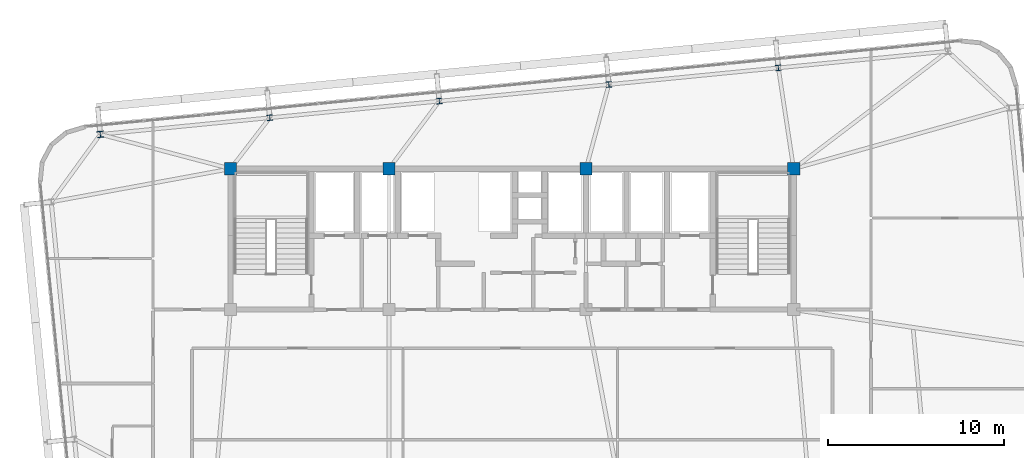
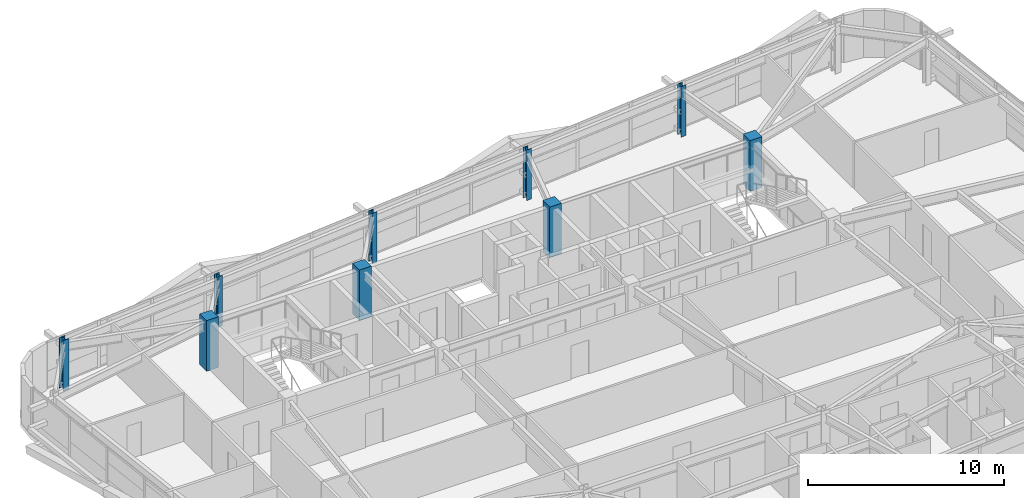
# One storey, part 3 of 54: 9 columns.
"""IFC4 building model written with IfcOpenShell, lengths in metres."""

from ifc_helpers import new_model, si_unit, direction, frame, origin, origin_2d, place, context, subcontext, project, spatial, rectangle, i_section, extrude, source, transform, mapped, material, material_profile, profile_set, type_object, element, save


model = new_model("IFC4")

# Units and contexts
model_context = context("Model", 3, precision=1e-05, world=origin(), true_north=direction((0.0, 1.0)))
body_context = subcontext(model_context, "Body", "Model", "MODEL_VIEW")
ifc_project = project(units=[si_unit("LENGTHUNIT", "METRE"), si_unit("AREAUNIT", "SQUARE_METRE"), si_unit("VOLUMEUNIT", "CUBIC_METRE"), si_unit("PLANEANGLEUNIT", "RADIAN"), si_unit("MASSUNIT", "GRAM", prefix="KILO")], contexts=[model_context])

# Site, building, storey
site_placement = place(None, origin())
site = spatial("IfcSite", under=ifc_project, at=site_placement, CompositionType="ELEMENT")
building_placement = place(site_placement, origin())
building = spatial("IfcBuilding", under=site, at=building_placement, Name="Taldren Reach Tower", CompositionType="ELEMENT")
storey_placement = place(building_placement, frame((0.0, 0.0, 99.75)))
storey = spatial("IfcBuildingStorey", under=building, at=storey_placement, Name="L30", CompositionType="ELEMENT", Elevation=99.75)

# Columns
ifc_material_1 = material(Name="Concrete S65 (65 MPa)", Category="concrete")
ifc_material_profile_1 = material_profile(ifc_material_1, rectangle(XDim=0.699951171875, YDim=0.699951171875, at=origin_2d()), Name="RC-700x700")
ifc_profile_set_1 = profile_set([ifc_material_profile_1], Name="Concrete S65 (65 MPa)")
column_type_1 = type_object("IfcColumnType", Name="COL-RC700", PredefinedType="COLUMN", material=ifc_profile_set_1)
shared_shape_1 = source(origin(), body_context, "Body", "SweptSolid", [
    extrude(rectangle(XDim=0.699951171875, YDim=0.699951171875, at=origin_2d()), origin(), (0.0, 0.0, 1.0), 3.14990234375),
])
for number, where, z_axis, x_axis, name in (
    (1, (19.0, 32.0, 0.0), (0.0, 0.0, 1.0), (1.0, 0.0, 0.0), "Mega column MC-C5 L30"),
    (2, (28.0, 32.0, 0.0), (0.0, 0.0, 1.0), (1.0, 0.0, 0.0), "Mega column MC-C6 L30"),
    (3, (39.199951171875, 32.0, 0.0), (0.0, 0.0, 1.0), (1.0, 0.0, 0.0), "Mega column MC-C7 L30"),
    (4, (51.0, 32.0, 0.0), (0.0, 0.0, 1.0), (1.0, 0.0, 0.0), "Mega column MC-C8 L30"),
):
    element("IfcColumn", number, at=place(storey_placement, frame(where, z_axis=z_axis, x_axis=x_axis)), inside=storey, type_object=column_type_1, Name=name, PredefinedType="COLUMN", context=body_context, shape_type="MappedRepresentation", body=[
        mapped(shared_shape_1, transform((0.0, 0.0, 0.0), scale=1.0)),
    ])
ifc_material_2 = material(Name="Steel Gr 350 (350PLUS)", Category="steel")
ifc_material_profile_2 = material_profile(ifc_material_2, i_section(OverallWidth=0.35009765625, OverallDepth=0.35595703125, WebThickness=0.01806640625, FlangeThickness=0.028076171875, at=origin_2d()), Name="350WC197")
ifc_profile_set_2 = profile_set([ifc_material_profile_2], Name="Steel Gr 350 (350PLUS)")
column_type_2 = type_object("IfcColumnType", Name="COL-WC350", PredefinedType="COLUMN", material=ifc_profile_set_2)
shared_shape_2 = source(origin(), body_context, "Body", "SweptSolid", [
    extrude(i_section(OverallWidth=0.35009765625, OverallDepth=0.35595703125, WebThickness=0.01806640625, FlangeThickness=0.028076171875, at=origin_2d()), origin(), (0.0, 0.0, 1.0), 3.14990234375),
])
column_placement = place(storey_placement, frame((11.596923828125, 33.956787109375, 0.0), z_axis=(0.0, 0.0, 1.0), x_axis=(0.995227399982, 0.097582899759, 0.0)))
element("IfcColumn", 5, at=column_placement, inside=storey, type_object=column_type_2, Name="Block B2 perimeter column N1 L30", PredefinedType="COLUMN", context=body_context, shape_type="MappedRepresentation", body=[
    mapped(shared_shape_2, transform((0.0, 0.0, 0.0), scale=1.0)),
])
ifc_material_profile_3 = material_profile(ifc_material_2, i_section(OverallWidth=0.306884765625, OverallDepth=0.31494140625, WebThickness=0.011962890625, FlangeThickness=0.018798828125, at=origin_2d()), Name="310UC118")
ifc_profile_set_3 = profile_set([ifc_material_profile_3], Name="Steel Gr 350 (350PLUS)")
column_type_3 = type_object("IfcColumnType", Name="COL-UC310B", PredefinedType="COLUMN", material=ifc_profile_set_3)
shared_shape_3 = source(origin(), body_context, "Body", "SweptSolid", [
    extrude(i_section(OverallWidth=0.306884765625, OverallDepth=0.31494140625, WebThickness=0.011962890625, FlangeThickness=0.018798828125, at=origin_2d()), origin(), (0.0, 0.0, 1.0), 3.14990234375),
])
for number, where, z_axis, x_axis, name in (
    (6, (21.230712890625, 34.9013671875, 0.0), (0.0, 0.0, 1.0), (0.995227399982, 0.097582899759, 0.0), "Block B2 perimeter column N2 L30"),
    (7, (30.864501953125, 35.84619140625, 0.0), (0.0, 0.0, 1.0), (0.995227399982, 0.097582899759, 0.0), "Block B2 perimeter column N3 L30"),
    (8, (40.498291015625, 36.790771484375, 0.0), (0.0, 0.0, 1.0), (0.995227399982, 0.097582899759, 0.0), "Block B2 perimeter column N4 L30"),
    (9, (50.132080078125, 37.7353515625, 0.0), (0.0, 0.0, 1.0), (0.995227399982, 0.097582899759, 0.0), "Block B2 perimeter column N5 L30"),
):
    element("IfcColumn", number, at=place(storey_placement, frame(where, z_axis=z_axis, x_axis=x_axis)), inside=storey, type_object=column_type_3, Name=name, PredefinedType="COLUMN", context=body_context, shape_type="MappedRepresentation", body=[
        mapped(shared_shape_3, transform((0.0, 0.0, 0.0), scale=1.0)),
    ])

save(model, "model.ifc")
